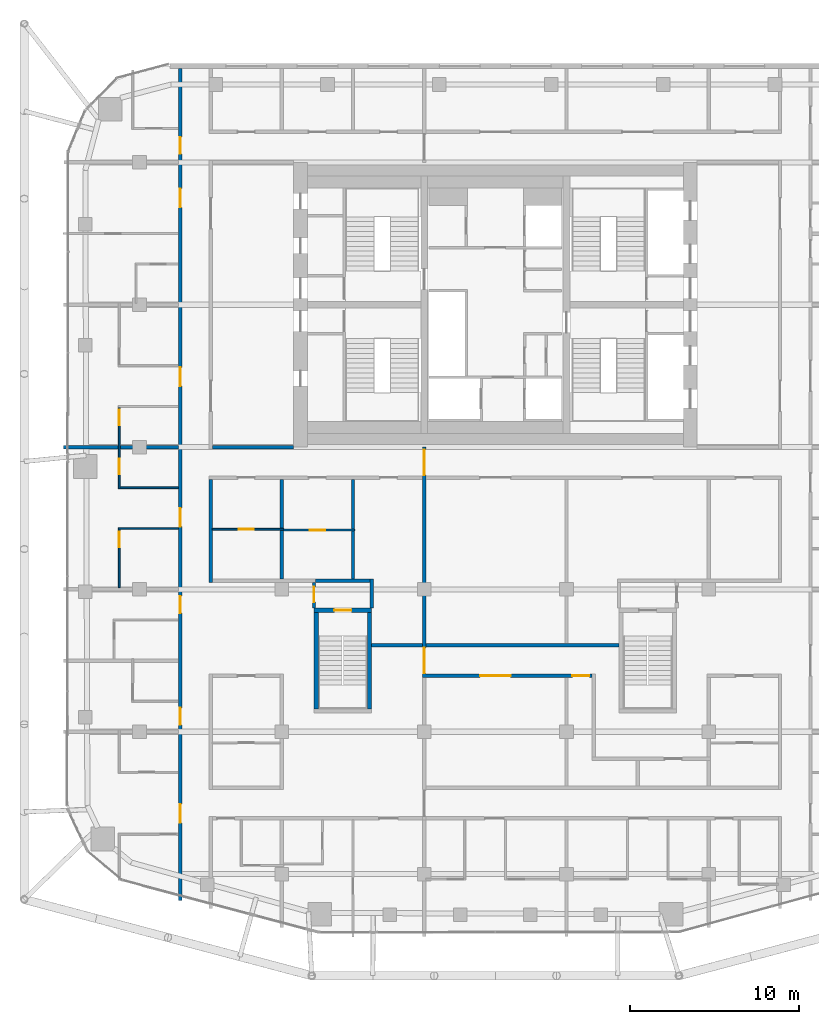
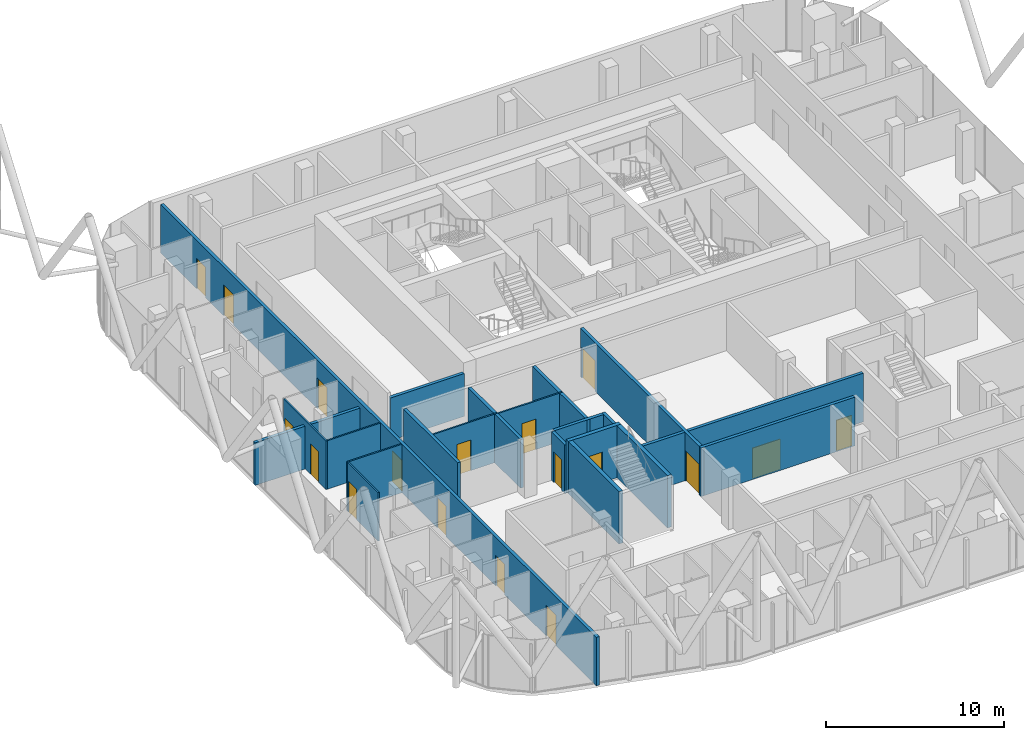
# One storey, part 24 of 31: 21 walls, 18 doors, 18 openings.
"""IFC4 building model written with IfcOpenShell, lengths in metres."""

from ifc_helpers import new_model, si_unit, direction, frame, frame_2d, origin, place, context, subcontext, project, spatial, rectangle, extrude, material, layer, layer_set, type_object, element, fill, save


model = new_model("IFC4")

# Units and contexts
model_context = context("Model", 3, precision=1e-05, world=origin(), true_north=direction((0.0, 1.0)))
body_context = subcontext(model_context, "Body", "Model", "MODEL_VIEW")
ifc_project = project(units=[si_unit("LENGTHUNIT", "METRE"), si_unit("AREAUNIT", "SQUARE_METRE"), si_unit("VOLUMEUNIT", "CUBIC_METRE"), si_unit("PLANEANGLEUNIT", "RADIAN"), si_unit("MASSUNIT", "GRAM", prefix="KILO")], contexts=[model_context])

# Site, building, storey
site_placement = place(None, origin())
site = spatial("IfcSite", under=ifc_project, at=site_placement, CompositionType="ELEMENT")
building_placement = place(site_placement, origin())
building = spatial("IfcBuilding", under=site, at=building_placement, Name="Marenta Gate Hotel Tower", CompositionType="ELEMENT")
storey_placement = place(building_placement, frame((0.0, 0.0, 205.699951171875)))
storey = spatial("IfcBuildingStorey", under=building, at=storey_placement, Name="L47", CompositionType="ELEMENT", Elevation=205.699951171875)

# Wall, openings, doors
ifc_material_1 = material(Name="Concrete blockwork", Category="masonry")
ifc_layer_1 = layer(ifc_material_1, 0.199951171875)
ifc_layer_set_1 = layer_set([ifc_layer_1], Name="Concrete blockwork")
wall_type_1 = type_object("IfcWallType", Name="Compartment wall 200 REI 180", PredefinedType="PARTITIONING", material=ifc_layer_set_1)
wall_1_placement = place(storey_placement, frame((-4.199951171875, -13.60009765625, 0.0), z_axis=(0.0, 0.0, 1.0), x_axis=(0.0, 1.0, 0.0)))
wall_1 = element("IfcWall", 1, at=wall_1_placement, inside=storey, type_object=wall_type_1, Name="L47-PTN-W071", PredefinedType="PARTITIONING", context=body_context, shape_type="SweptSolid", body=[
    extrude(rectangle(XDim=13.60009765625, YDim=0.199951171875, at=frame_2d((6.800048828125, 0.0))), origin(), (0.0, 0.0, 1.0), 3.340087890625),
])
opening_1_placement = place(wall_1_placement, frame((11.949951171875, 0.0, 0.0)))
opening_1 = element("IfcOpeningElement", 2, at=opening_1_placement, cuts=wall_1, Name="Opening G16-FD2", PredefinedType="OPENING", context=body_context, shape_type="SweptSolid", body=[
    extrude(rectangle(XDim=1.5, YDim=2.10009765625, at=frame_2d((0.75, 1.050048828125))), frame((0.0, 0.10009765625, 0.0), z_axis=(0.0, -1.0, 0.0), x_axis=(1.0, 0.0, 0.0)), (0.0, 0.0, 1.0), 0.199951171875),
])
opening_2_placement = place(wall_1_placement, frame((0.25, 0.0, 0.0)))
opening_2 = element("IfcOpeningElement", 3, at=opening_2_placement, cuts=wall_1, Name="Opening G16-FD3", PredefinedType="OPENING", context=body_context, shape_type="SweptSolid", body=[
    extrude(rectangle(XDim=1.5, YDim=2.10009765625, at=frame_2d((0.75, 1.050048828125))), frame((0.0, 0.10009765625, 0.0), z_axis=(0.0, -1.0, 0.0), x_axis=(1.0, 0.0, 0.0)), (0.0, 0.0, 1.0), 0.199951171875),
])
ifc_material_2 = material(Name="Hollow steel door set", Category="steel")
door_type_1 = type_object("IfcDoorType", Name="Compartment fire door 1500x2100 EI 60", OperationType="DOUBLE_DOOR_DOUBLE_SWING", PredefinedType="DOOR", material=ifc_material_2)
door_1_placement = place(opening_1_placement, origin())
door_1 = element("IfcDoor", 4, at=door_1_placement, inside=storey, type_object=door_type_1, Name="L47-PD-FD02", OperationType="DOUBLE_DOOR_DOUBLE_SWING", OverallHeight=2.10009765625, OverallWidth=1.5, PredefinedType="DOOR", context=body_context, shape_type="SweptSolid", body=[
    extrude(rectangle(XDim=1.5, YDim=2.10009765625, at=frame_2d((0.75, 1.050048828125))), frame((0.0, 0.02490234375, 0.0), z_axis=(0.0, -1.0, 0.0), x_axis=(1.0, 0.0, 0.0)), (0.0, 0.0, 1.0), 0.050048828125),
])
fill(opening_1, door_1)
door_2_placement = place(opening_2_placement, origin())
door_2 = element("IfcDoor", 5, at=door_2_placement, inside=storey, type_object=door_type_1, Name="L47-PD-FD03", OperationType="DOUBLE_DOOR_DOUBLE_SWING", OverallHeight=2.10009765625, OverallWidth=1.5, PredefinedType="DOOR", context=body_context, shape_type="SweptSolid", body=[
    extrude(rectangle(XDim=1.5, YDim=2.10009765625, at=frame_2d((0.75, 1.050048828125))), frame((0.0, 0.02490234375, 0.0), z_axis=(0.0, -1.0, 0.0), x_axis=(1.0, 0.0, 0.0)), (0.0, 0.0, 1.0), 0.050048828125),
])
fill(opening_2, door_2)

# Wall
ifc_material_3 = material(Name="Concrete blockwork", Category="masonry")
ifc_layer_2 = layer(ifc_material_3, 0.199951171875)
ifc_layer_set_2 = layer_set([ifc_layer_2], Name="Concrete blockwork")
wall_type_2 = type_object("IfcWallType", Name="Core boundary wall 200 REI 180", PredefinedType="PARTITIONING", material=ifc_layer_set_2)
wall_2_placement = place(storey_placement, frame((-16.699951171875, 0.0, 0.0), z_axis=(0.0, 0.0, 1.0), x_axis=(1.0, 0.0, 0.0)))
element("IfcWall", 6, at=wall_2_placement, inside=storey, type_object=wall_type_2, Name="L47-CP-EW-WS", PredefinedType="PARTITIONING", context=body_context, shape_type="SweptSolid", body=[
    extrude(rectangle(XDim=4.800048828125, YDim=0.199951171875, at=frame_2d((2.39990234375, 0.0))), origin(), (0.0, 0.0, 1.0), 2.93994140625),
])

# Wall, opening, door
ifc_material_4 = material(Name="Concrete C40", Category="concrete")
ifc_layer_3 = layer(ifc_material_4, 0.25)
ifc_layer_set_3 = layer_set([ifc_layer_3], Name="Concrete C40")
wall_type_3 = type_object("IfcWallType", Name="Remote stair enclosure wall 250 REI 180", PredefinedType="SHEAR", material=ifc_layer_set_3)
wall_3_placement = place(storey_placement, frame((-10.699951171875, -9.625, 0.10009765625), z_axis=(0.0, 0.0, 1.0), x_axis=(1.0, 0.0, 0.0)))
wall_3 = element("IfcWall", 7, at=wall_3_placement, inside=storey, type_object=wall_type_3, Name="L47-RS-Z3-1-W2", PredefinedType="SHEAR", context=body_context, shape_type="SweptSolid", body=[
    extrude(rectangle(XDim=3.39990234375, YDim=0.25, at=frame_2d((1.699951171875, 0.0))), origin(), (0.0, 0.0, 1.0), 3.599853515625),
])
opening_3_placement = place(wall_3_placement, frame((1.199951171875, 0.0, 0.0)))
opening_3 = element("IfcOpeningElement", 8, at=opening_3_placement, cuts=wall_3, Name="Opening VD", PredefinedType="OPENING", context=body_context, shape_type="SweptSolid", body=[
    extrude(rectangle(XDim=1.0, YDim=2.10009765625, at=frame_2d((0.5, 1.050048828125))), frame((0.0, 0.125, 0.0), z_axis=(0.0, -1.0, 0.0), x_axis=(1.0, 0.0, 0.0)), (0.0, 0.0, 1.0), 0.25),
])
ifc_material_5 = material(Name="Steel", Category="steel")
door_type_2 = type_object("IfcDoorType", Name="Stair vestibule door 1000x2100 FD60", OperationType="SINGLE_SWING_LEFT", PredefinedType="DOOR", material=ifc_material_5)
door_3_placement = place(opening_3_placement, origin())
door_3 = element("IfcDoor", 9, at=door_3_placement, inside=storey, type_object=door_type_2, Name="VD", OperationType="SINGLE_SWING_LEFT", OverallHeight=2.10009765625, OverallWidth=1.0, PredefinedType="DOOR", context=body_context, shape_type="SweptSolid", body=[
    extrude(rectangle(XDim=1.0, YDim=2.10009765625, at=frame_2d((0.5, 1.050048828125))), frame((0.0, 0.02490234375, 0.0), z_axis=(0.0, -1.0, 0.0), x_axis=(1.0, 0.0, 0.0)), (0.0, 0.0, 1.0), 0.050048828125),
])
fill(opening_3, door_3)

# Walls
for number, where, z_axis, x_axis, name in (
    (10, (-10.574951171875, -15.449951171875, 0.10009765625), (0.0, 0.0, 1.0), (0.0, 1.0, 0.0), "L47-RS-Z3-1-W3"),
    (11, (-7.425048828125, -15.449951171875, 0.10009765625), (0.0, 0.0, 1.0), (0.0, 1.0, 0.0), "L47-RS-Z3-1-W4"),
):
    element("IfcWall", number, at=place(storey_placement, frame(where, z_axis=z_axis, x_axis=x_axis)), inside=storey, type_object=wall_type_3, Name=name, PredefinedType="SHEAR", context=body_context, shape_type="SweptSolid", body=[
        extrude(rectangle(XDim=5.699951171875, YDim=0.25, at=frame_2d((2.85009765625, 0.0))), origin(), (0.0, 0.0, 1.0), 3.599853515625),
    ])

# Wall, openings, doors
ifc_material_6 = material(Name="Gypsum board on steel stud", Category="steel")
ifc_layer_4 = layer(ifc_material_6, 0.199951171875)
ifc_layer_set_4 = layer_set([ifc_layer_4], Name="Gypsum board on steel stud")
wall_type_4 = type_object("IfcWallType", Name="Room corridor wall 200 EI 60", PredefinedType="PARTITIONING", material=ifc_layer_set_4)
wall_4_placement = place(storey_placement, frame((-4.300048828125, -13.5, 0.0), z_axis=(0.0, 0.0, 1.0), x_axis=(1.0, 0.0, 0.0)))
wall_4 = element("IfcWall", 12, at=wall_4_placement, inside=storey, type_object=wall_type_4, Name="L47-PTN-W032", PredefinedType="PARTITIONING", context=body_context, shape_type="SweptSolid", body=[
    extrude(rectangle(XDim=10.0, YDim=0.199951171875, at=frame_2d((5.0, 0.0))), origin(), (0.0, 0.0, 1.0), 3.340087890625),
])
opening_4_placement = place(wall_4_placement, frame((3.39990234375, 0.0, 0.0)))
opening_4 = element("IfcOpeningElement", 13, at=opening_4_placement, cuts=wall_4, Name="Opening G16-11", PredefinedType="OPENING", context=body_context, shape_type="SweptSolid", body=[
    extrude(rectangle(XDim=1.800048828125, YDim=2.10009765625, at=frame_2d((0.89990234375, 1.050048828125))), frame((0.0, 0.10009765625, 0.0), z_axis=(0.0, -1.0, 0.0), x_axis=(1.0, 0.0, 0.0)), (0.0, 0.0, 1.0), 0.199951171875),
])
opening_5_placement = place(wall_4_placement, frame((8.85009765625, 0.0, 0.0)))
opening_5 = element("IfcOpeningElement", 14, at=opening_5_placement, cuts=wall_4, Name="Opening G16-12", PredefinedType="OPENING", context=body_context, shape_type="SweptSolid", body=[
    extrude(rectangle(XDim=1.0, YDim=2.10009765625, at=frame_2d((0.5, 1.050048828125))), frame((0.0, 0.10009765625, 0.0), z_axis=(0.0, -1.0, 0.0), x_axis=(1.0, 0.0, 0.0)), (0.0, 0.0, 1.0), 0.199951171875),
])
ifc_material_7 = material(Name="Timber door leaf", Category="wood")
door_type_3 = type_object("IfcDoorType", Name="Room amenity door 1000x2100 EI 30", OperationType="NOTDEFINED", PredefinedType="DOOR", material=ifc_material_7)
door_4_placement = place(opening_5_placement, origin())
door_4 = element("IfcDoor", 15, at=door_4_placement, inside=storey, type_object=door_type_3, Name="L47-PD-D012", OperationType="SINGLE_SWING_LEFT", OverallHeight=2.10009765625, OverallWidth=1.0, PredefinedType="DOOR", context=body_context, shape_type="SweptSolid", body=[
    extrude(rectangle(XDim=1.0, YDim=2.10009765625, at=frame_2d((0.5, 1.050048828125))), frame((0.0, 0.02490234375, 0.0), z_axis=(0.0, -1.0, 0.0), x_axis=(1.0, 0.0, 0.0)), (0.0, 0.0, 1.0), 0.050048828125),
])
fill(opening_5, door_4)
ifc_material_8 = material(Name="Timber door leaf", Category="wood")
door_type_4 = type_object("IfcDoorType", Name="Room amenity door 1800x2100 EI 30", OperationType="DOUBLE_DOOR_SINGLE_SWING", PredefinedType="DOOR", material=ifc_material_8)
door_5_placement = place(opening_4_placement, origin())
door_5 = element("IfcDoor", 16, at=door_5_placement, inside=storey, type_object=door_type_4, Name="L47-PD-D011", OperationType="DOUBLE_DOOR_SINGLE_SWING", OverallHeight=2.10009765625, OverallWidth=1.800048828125, PredefinedType="DOOR", context=body_context, shape_type="SweptSolid", body=[
    extrude(rectangle(XDim=1.800048828125, YDim=2.10009765625, at=frame_2d((0.89990234375, 1.050048828125))), frame((0.0, 0.02490234375, 0.0), z_axis=(0.0, -1.0, 0.0), x_axis=(1.0, 0.0, 0.0)), (0.0, 0.0, 1.0), 0.050048828125),
])
fill(opening_4, door_5)

# Walls
wall_5_placement = place(storey_placement, frame((-7.300048828125, -11.699951171875, 0.0), z_axis=(0.0, 0.0, 1.0), x_axis=(1.0, 0.0, 0.0)))
element("IfcWall", 17, at=wall_5_placement, inside=storey, type_object=wall_type_4, Name="L47-PTN-W040", PredefinedType="PARTITIONING", context=body_context, shape_type="SweptSolid", body=[
    extrude(rectangle(XDim=14.60009765625, YDim=0.199951171875, at=frame_2d((7.300048828125, 0.0))), origin(), (0.0, 0.0, 1.0), 3.340087890625),
])
wall_6_placement = place(storey_placement, frame((-16.800048828125, -8.0, 0.0), z_axis=(0.0, 0.0, 1.0), x_axis=(0.0, 1.0, 0.0)))
element("IfcWall", 18, at=wall_6_placement, inside=storey, type_object=wall_type_4, Name="L47-PTN-W095", PredefinedType="PARTITIONING", context=body_context, shape_type="SweptSolid", body=[
    extrude(rectangle(XDim=6.10009765625, YDim=0.199951171875, at=frame_2d((3.050048828125, 0.0))), origin(), (0.0, 0.0, 1.0), 3.340087890625),
])

# Wall, openings, doors
wall_7_placement = place(storey_placement, frame((-18.60009765625, -26.7509765625, 0.0), z_axis=(0.0, 0.0, 1.0), x_axis=(0.0, 1.0, 0.0)))
wall_7 = element("IfcWall", 19, at=wall_7_placement, inside=storey, type_object=wall_type_4, Name="L47-PTN-W099", PredefinedType="PARTITIONING", context=body_context, shape_type="SweptSolid", body=[
    extrude(rectangle(XDim=49.091064453125, YDim=0.199951171875, at=frame_2d((24.54541015625, 0.0))), origin(), (0.0, 0.0, 1.0), 3.340087890625),
])
opening_6_placement = place(wall_7_placement, frame((4.575927734375, 0.0, 0.0)))
opening_6 = element("IfcOpeningElement", 20, at=opening_6_placement, cuts=wall_7, Name="Opening G16-46", PredefinedType="OPENING", context=body_context, shape_type="SweptSolid", body=[
    extrude(rectangle(XDim=1.10009765625, YDim=2.10009765625, at=frame_2d((0.550048828125, 1.050048828125))), frame((0.0, 0.10009765625, 0.0), z_axis=(0.0, -1.0, 0.0), x_axis=(1.0, 0.0, 0.0)), (0.0, 0.0, 1.0), 0.199951171875),
])
opening_7_placement = place(wall_7_placement, frame((10.35107421875, 0.0, 0.0)))
opening_7 = element("IfcOpeningElement", 21, at=opening_7_placement, cuts=wall_7, Name="Opening G16-49", PredefinedType="OPENING", context=body_context, shape_type="SweptSolid", body=[
    extrude(rectangle(XDim=1.0, YDim=2.10009765625, at=frame_2d((0.5, 1.050048828125))), frame((0.0, 0.10009765625, 0.0), z_axis=(0.0, -1.0, 0.0), x_axis=(1.0, 0.0, 0.0)), (0.0, 0.0, 1.0), 0.199951171875),
])
opening_8_placement = place(wall_7_placement, frame((16.950927734375, 0.0, 0.0)))
opening_8 = element("IfcOpeningElement", 22, at=opening_8_placement, cuts=wall_7, Name="Opening G16-51", PredefinedType="OPENING", context=body_context, shape_type="SweptSolid", body=[
    extrude(rectangle(XDim=1.0, YDim=2.10009765625, at=frame_2d((0.5, 1.050048828125))), frame((0.0, 0.10009765625, 0.0), z_axis=(0.0, -1.0, 0.0), x_axis=(1.0, 0.0, 0.0)), (0.0, 0.0, 1.0), 0.199951171875),
])
opening_9_placement = place(wall_7_placement, frame((22.051025390625, 0.0, 0.0)))
opening_9 = element("IfcOpeningElement", 23, at=opening_9_placement, cuts=wall_7, Name="Opening G16-53", PredefinedType="OPENING", context=body_context, shape_type="SweptSolid", body=[
    extrude(rectangle(XDim=1.10009765625, YDim=2.10009765625, at=frame_2d((0.550048828125, 1.050048828125))), frame((0.0, 0.10009765625, 0.0), z_axis=(0.0, -1.0, 0.0), x_axis=(1.0, 0.0, 0.0)), (0.0, 0.0, 1.0), 0.199951171875),
])
opening_10_placement = place(wall_7_placement, frame((30.35107421875, 0.0, 0.0)))
opening_10 = element("IfcOpeningElement", 24, at=opening_10_placement, cuts=wall_7, Name="Opening G16-56", PredefinedType="OPENING", context=body_context, shape_type="SweptSolid", body=[
    extrude(rectangle(XDim=1.10009765625, YDim=2.10009765625, at=frame_2d((0.550048828125, 1.050048828125))), frame((0.0, 0.10009765625, 0.0), z_axis=(0.0, -1.0, 0.0), x_axis=(1.0, 0.0, 0.0)), (0.0, 0.0, 1.0), 0.199951171875),
])
opening_11_placement = place(wall_7_placement, frame((40.90087890625, 0.0, 0.0)))
opening_11 = element("IfcOpeningElement", 25, at=opening_11_placement, cuts=wall_7, Name="Opening G16-59", PredefinedType="OPENING", context=body_context, shape_type="SweptSolid", body=[
    extrude(rectangle(XDim=1.10009765625, YDim=2.10009765625, at=frame_2d((0.550048828125, 1.050048828125))), frame((0.0, 0.10009765625, 0.0), z_axis=(0.0, -1.0, 0.0), x_axis=(1.0, 0.0, 0.0)), (0.0, 0.0, 1.0), 0.199951171875),
])
opening_12_placement = place(wall_7_placement, frame((44.051025390625, 0.0, 0.0)))
opening_12 = element("IfcOpeningElement", 26, at=opening_12_placement, cuts=wall_7, Name="Opening G16-62", PredefinedType="OPENING", context=body_context, shape_type="SweptSolid", body=[
    extrude(rectangle(XDim=1.0, YDim=2.10009765625, at=frame_2d((0.5, 1.050048828125))), frame((0.0, 0.10009765625, 0.0), z_axis=(0.0, -1.0, 0.0), x_axis=(1.0, 0.0, 0.0)), (0.0, 0.0, 1.0), 0.199951171875),
])
ifc_material_9 = material(Name="Timber door leaf", Category="wood")
door_type_5 = type_object("IfcDoorType", Name="Guest room door 1000x2100 EI 30", OperationType="NOTDEFINED", PredefinedType="DOOR", material=ifc_material_9)
door_6_placement = place(opening_7_placement, origin())
door_6 = element("IfcDoor", 27, at=door_6_placement, inside=storey, type_object=door_type_5, Name="L47-PD-D049", OperationType="SINGLE_SWING_RIGHT", OverallHeight=2.10009765625, OverallWidth=1.0, PredefinedType="DOOR", context=body_context, shape_type="SweptSolid", body=[
    extrude(rectangle(XDim=1.0, YDim=2.10009765625, at=frame_2d((0.5, 1.050048828125))), frame((0.0, 0.02490234375, 0.0), z_axis=(0.0, -1.0, 0.0), x_axis=(1.0, 0.0, 0.0)), (0.0, 0.0, 1.0), 0.050048828125),
])
fill(opening_7, door_6)
door_7_placement = place(opening_8_placement, origin())
door_7 = element("IfcDoor", 28, at=door_7_placement, inside=storey, type_object=door_type_5, Name="L47-PD-D051", OperationType="SINGLE_SWING_RIGHT", OverallHeight=2.10009765625, OverallWidth=1.0, PredefinedType="DOOR", context=body_context, shape_type="SweptSolid", body=[
    extrude(rectangle(XDim=1.0, YDim=2.10009765625, at=frame_2d((0.5, 1.050048828125))), frame((0.0, 0.02490234375, 0.0), z_axis=(0.0, -1.0, 0.0), x_axis=(1.0, 0.0, 0.0)), (0.0, 0.0, 1.0), 0.050048828125),
])
fill(opening_8, door_7)
door_8_placement = place(opening_12_placement, origin())
door_8 = element("IfcDoor", 29, at=door_8_placement, inside=storey, type_object=door_type_5, Name="L47-PD-D062", OperationType="SINGLE_SWING_LEFT", OverallHeight=2.10009765625, OverallWidth=1.0, PredefinedType="DOOR", context=body_context, shape_type="SweptSolid", body=[
    extrude(rectangle(XDim=1.0, YDim=2.10009765625, at=frame_2d((0.5, 1.050048828125))), frame((0.0, 0.02490234375, 0.0), z_axis=(0.0, -1.0, 0.0), x_axis=(1.0, 0.0, 0.0)), (0.0, 0.0, 1.0), 0.050048828125),
])
fill(opening_12, door_8)
ifc_material_10 = material(Name="Timber door leaf", Category="wood")
door_type_6 = type_object("IfcDoorType", Name="Guest room door 1100x2100 EI 30", OperationType="NOTDEFINED", PredefinedType="DOOR", material=ifc_material_10)
door_9_placement = place(opening_6_placement, origin())
door_9 = element("IfcDoor", 30, at=door_9_placement, inside=storey, type_object=door_type_6, Name="L47-PD-D046", OperationType="SINGLE_SWING_LEFT", OverallHeight=2.10009765625, OverallWidth=1.10009765625, PredefinedType="DOOR", context=body_context, shape_type="SweptSolid", body=[
    extrude(rectangle(XDim=1.10009765625, YDim=2.10009765625, at=frame_2d((0.550048828125, 1.050048828125))), frame((0.0, 0.02490234375, 0.0), z_axis=(0.0, -1.0, 0.0), x_axis=(1.0, 0.0, 0.0)), (0.0, 0.0, 1.0), 0.050048828125),
])
fill(opening_6, door_9)
door_10_placement = place(opening_9_placement, origin())
door_10 = element("IfcDoor", 31, at=door_10_placement, inside=storey, type_object=door_type_6, Name="L47-PD-D053", OperationType="SINGLE_SWING_LEFT", OverallHeight=2.10009765625, OverallWidth=1.10009765625, PredefinedType="DOOR", context=body_context, shape_type="SweptSolid", body=[
    extrude(rectangle(XDim=1.10009765625, YDim=2.10009765625, at=frame_2d((0.550048828125, 1.050048828125))), frame((0.0, 0.02490234375, 0.0), z_axis=(0.0, -1.0, 0.0), x_axis=(1.0, 0.0, 0.0)), (0.0, 0.0, 1.0), 0.050048828125),
])
fill(opening_9, door_10)
door_11_placement = place(opening_10_placement, origin())
door_11 = element("IfcDoor", 32, at=door_11_placement, inside=storey, type_object=door_type_6, Name="L47-PD-D056", OperationType="SINGLE_SWING_RIGHT", OverallHeight=2.10009765625, OverallWidth=1.10009765625, PredefinedType="DOOR", context=body_context, shape_type="SweptSolid", body=[
    extrude(rectangle(XDim=1.10009765625, YDim=2.10009765625, at=frame_2d((0.550048828125, 1.050048828125))), frame((0.0, 0.02490234375, 0.0), z_axis=(0.0, -1.0, 0.0), x_axis=(1.0, 0.0, 0.0)), (0.0, 0.0, 1.0), 0.050048828125),
])
fill(opening_10, door_11)
door_12_placement = place(opening_11_placement, origin())
door_12 = element("IfcDoor", 33, at=door_12_placement, inside=storey, type_object=door_type_6, Name="L47-PD-D059", OperationType="SINGLE_SWING_RIGHT", OverallHeight=2.10009765625, OverallWidth=1.10009765625, PredefinedType="DOOR", context=body_context, shape_type="SweptSolid", body=[
    extrude(rectangle(XDim=1.10009765625, YDim=2.10009765625, at=frame_2d((0.550048828125, 1.050048828125))), frame((0.0, 0.02490234375, 0.0), z_axis=(0.0, -1.0, 0.0), x_axis=(1.0, 0.0, 0.0)), (0.0, 0.0, 1.0), 0.050048828125),
])
fill(opening_11, door_12)

# Wall, opening, door
ifc_material_11 = material(Name="Concrete blockwork", Category="masonry")
ifc_layer_5 = layer(ifc_material_11, 0.199951171875)
ifc_layer_set_5 = layer_set([ifc_layer_5], Name="Concrete blockwork")
wall_type_5 = type_object("IfcWallType", Name="Room corridor wall 200 REI 180", PredefinedType="PARTITIONING", material=ifc_layer_set_5)
wall_8_placement = place(storey_placement, frame((-10.699951171875, -9.5, 0.0), z_axis=(0.0, 0.0, 1.0), x_axis=(0.0, 1.0, 0.0)))
wall_8 = element("IfcWall", 34, at=wall_8_placement, inside=storey, type_object=wall_type_5, Name="L47-PTN-W082", PredefinedType="PARTITIONING", context=body_context, shape_type="SweptSolid", body=[
    extrude(rectangle(XDim=1.5, YDim=0.199951171875, at=frame_2d((0.75, 0.0))), origin(), (0.0, 0.0, 1.0), 3.340087890625),
])
opening_13_placement = place(wall_8_placement, frame((0.35009765625, 0.0, 0.0)))
opening_13 = element("IfcOpeningElement", 35, at=opening_13_placement, cuts=wall_8, Name="Opening G16-64", PredefinedType="OPENING", context=body_context, shape_type="SweptSolid", body=[
    extrude(rectangle(XDim=0.89990234375, YDim=2.10009765625, at=frame_2d((0.449951171875, 1.050048828125))), frame((0.0, 0.10009765625, 0.0), z_axis=(0.0, -1.0, 0.0), x_axis=(1.0, 0.0, 0.0)), (0.0, 0.0, 1.0), 0.199951171875),
])
ifc_material_12 = material(Name="Hollow steel door set", Category="steel")
door_type_7 = type_object("IfcDoorType", Name="Stair vestibule door 900x2100 EI 60", OperationType="NOTDEFINED", PredefinedType="DOOR", material=ifc_material_12)
door_13_placement = place(opening_13_placement, origin())
door_13 = element("IfcDoor", 36, at=door_13_placement, inside=storey, type_object=door_type_7, Name="L47-PD-D064", OperationType="SINGLE_SWING_LEFT", OverallHeight=2.10009765625, OverallWidth=0.89990234375, PredefinedType="DOOR", context=body_context, shape_type="SweptSolid", body=[
    extrude(rectangle(XDim=0.89990234375, YDim=2.10009765625, at=frame_2d((0.449951171875, 1.050048828125))), frame((0.0, 0.02490234375, 0.0), z_axis=(0.0, -1.0, 0.0), x_axis=(1.0, 0.0, 0.0)), (0.0, 0.0, 1.0), 0.050048828125),
])
fill(opening_13, door_13)

ifc_material_13 = material(Name="Gypsum board on steel stud", Category="steel")
ifc_layer_6 = layer(ifc_material_13, 0.10009765625)
ifc_layer_set_6 = layer_set([ifc_layer_6], Name="Gypsum board on steel stud")
wall_type_6 = type_object("IfcWallType", Name="Room partition 100", PredefinedType="PARTITIONING", material=ifc_layer_set_6)
wall_9_placement = place(storey_placement, frame((-12.5, -4.89990234375, 0.0), z_axis=(0.0, 0.0, 1.0), x_axis=(1.0, 0.0, 0.0)))
wall_9 = element("IfcWall", 37, at=wall_9_placement, inside=storey, type_object=wall_type_6, Name="L47-PTN-W055", PredefinedType="PARTITIONING", context=body_context, shape_type="SweptSolid", body=[
    extrude(rectangle(XDim=4.199951171875, YDim=0.10009765625, at=frame_2d((2.10009765625, 0.0))), origin(), (0.0, 0.0, 1.0), 3.340087890625),
])
opening_14_placement = place(wall_9_placement, frame((1.550048828125, 0.0, 0.0)))
opening_14 = element("IfcOpeningElement", 38, at=opening_14_placement, cuts=wall_9, Name="Opening G16-04", PredefinedType="OPENING", context=body_context, shape_type="SweptSolid", body=[
    extrude(rectangle(XDim=0.89990234375, YDim=2.10009765625, at=frame_2d((0.449951171875, 1.050048828125))), frame((0.0, 0.050048828125, 0.0), z_axis=(0.0, -1.0, 0.0), x_axis=(1.0, 0.0, 0.0)), (0.0, 0.0, 1.0), 0.10009765625),
])
ifc_material_14 = material(Name="Timber door leaf", Category="wood")
door_type_8 = type_object("IfcDoorType", Name="Room inner door 900x2100", OperationType="NOTDEFINED", PredefinedType="DOOR", material=ifc_material_14)
door_14_placement = place(opening_14_placement, origin())
door_14 = element("IfcDoor", 39, at=door_14_placement, inside=storey, type_object=door_type_8, Name="L47-PD-D004", OperationType="SINGLE_SWING_RIGHT", OverallHeight=2.10009765625, OverallWidth=0.89990234375, PredefinedType="DOOR", context=body_context, shape_type="SweptSolid", body=[
    extrude(rectangle(XDim=0.89990234375, YDim=2.10009765625, at=frame_2d((0.449951171875, 1.050048828125))), frame((0.0, 0.02490234375, 0.0), z_axis=(0.0, -1.0, 0.0), x_axis=(1.0, 0.0, 0.0)), (0.0, 0.0, 1.0), 0.050048828125),
])
fill(opening_14, door_14)

wall_10_placement = place(storey_placement, frame((-16.699951171875, -4.85009765625, 0.0), z_axis=(0.0, 0.0, 1.0), x_axis=(1.0, 0.0, 0.0)))
wall_10 = element("IfcWall", 40, at=wall_10_placement, inside=storey, type_object=wall_type_6, Name="L47-PTN-W056", PredefinedType="PARTITIONING", context=body_context, shape_type="SweptSolid", body=[
    extrude(rectangle(XDim=4.199951171875, YDim=0.10009765625, at=frame_2d((2.10009765625, 0.0))), origin(), (0.0, 0.0, 1.0), 3.340087890625),
])
opening_15_placement = place(wall_10_placement, frame((1.550048828125, 0.0, 0.0)))
opening_15 = element("IfcOpeningElement", 41, at=opening_15_placement, cuts=wall_10, Name="Opening G16-02", PredefinedType="OPENING", context=body_context, shape_type="SweptSolid", body=[
    extrude(rectangle(XDim=0.89990234375, YDim=2.10009765625, at=frame_2d((0.449951171875, 1.050048828125))), frame((0.0, 0.050048828125, 0.0), z_axis=(0.0, -1.0, 0.0), x_axis=(1.0, 0.0, 0.0)), (0.0, 0.0, 1.0), 0.10009765625),
])
door_15_placement = place(opening_15_placement, origin())
door_15 = element("IfcDoor", 42, at=door_15_placement, inside=storey, type_object=door_type_8, Name="L47-PD-D002", OperationType="SINGLE_SWING_RIGHT", OverallHeight=2.10009765625, OverallWidth=0.89990234375, PredefinedType="DOOR", context=body_context, shape_type="SweptSolid", body=[
    extrude(rectangle(XDim=0.89990234375, YDim=2.10009765625, at=frame_2d((0.449951171875, 1.050048828125))), frame((0.0, 0.02490234375, 0.0), z_axis=(0.0, -1.0, 0.0), x_axis=(1.0, 0.0, 0.0)), (0.0, 0.0, 1.0), 0.050048828125),
])
fill(opening_15, door_15)

# Walls
wall_11_placement = place(storey_placement, frame((-22.25, -4.800048828125, 0.0), z_axis=(0.0, 0.0, 1.0), x_axis=(1.0, 0.0, 0.0)))
element("IfcWall", 43, at=wall_11_placement, inside=storey, type_object=wall_type_6, Name="L47-PTN-W057", PredefinedType="PARTITIONING", context=body_context, shape_type="SweptSolid", body=[
    extrude(rectangle(XDim=3.550048828125, YDim=0.10009765625, at=frame_2d((1.77490234375, 0.0))), origin(), (0.0, 0.0, 1.0), 3.340087890625),
])
wall_12_placement = place(storey_placement, frame((-22.14990234375, -2.39990234375, 0.0), z_axis=(0.0, 0.0, 1.0), x_axis=(1.0, 0.0, 0.0)))
element("IfcWall", 44, at=wall_12_placement, inside=storey, type_object=wall_type_6, Name="L47-PTN-W063", PredefinedType="PARTITIONING", context=body_context, shape_type="SweptSolid", body=[
    extrude(rectangle(XDim=3.449951171875, YDim=0.10009765625, at=frame_2d((1.72509765625, 0.0))), origin(), (0.0, 0.0, 1.0), 3.340087890625),
])

# Wall, opening, door
wall_13_placement = place(storey_placement, frame((-22.199951171875, -8.300048828125, 0.0), z_axis=(0.0, 0.0, 1.0), x_axis=(0.0, 1.0, 0.0)))
wall_13 = element("IfcWall", 45, at=wall_13_placement, inside=storey, type_object=wall_type_6, Name="L47-PTN-W107", PredefinedType="PARTITIONING", context=body_context, shape_type="SweptSolid", body=[
    extrude(rectangle(XDim=3.449951171875, YDim=0.10009765625, at=frame_2d((1.72509765625, 0.0))), origin(), (0.0, 0.0, 1.0), 3.340087890625),
])
opening_16_placement = place(wall_13_placement, frame((2.39990234375, 0.0, 0.0)))
opening_16 = element("IfcOpeningElement", 46, at=opening_16_placement, cuts=wall_13, Name="Opening G16-54", PredefinedType="OPENING", context=body_context, shape_type="SweptSolid", body=[
    extrude(rectangle(XDim=0.89990234375, YDim=2.10009765625, at=frame_2d((0.449951171875, 1.050048828125))), frame((0.0, 0.050048828125, 0.0), z_axis=(0.0, -1.0, 0.0), x_axis=(1.0, 0.0, 0.0)), (0.0, 0.0, 1.0), 0.10009765625),
])
ifc_material_15 = material(Name="Timber door leaf", Category="wood")
door_type_9 = type_object("IfcDoorType", Name="Guest bathroom door 900x2100", OperationType="NOTDEFINED", PredefinedType="DOOR", material=ifc_material_15)
door_16_placement = place(opening_16_placement, origin())
door_16 = element("IfcDoor", 47, at=door_16_placement, inside=storey, type_object=door_type_9, Name="L47-PD-D054", OperationType="SINGLE_SWING_LEFT", OverallHeight=2.10009765625, OverallWidth=0.89990234375, PredefinedType="DOOR", context=body_context, shape_type="SweptSolid", body=[
    extrude(rectangle(XDim=0.89990234375, YDim=2.10009765625, at=frame_2d((0.449951171875, 1.050048828125))), frame((0.0, 0.02490234375, 0.0), z_axis=(0.0, -1.0, 0.0), x_axis=(1.0, 0.0, 0.0)), (0.0, 0.0, 1.0), 0.050048828125),
])
fill(opening_16, door_16)

# Wall, openings, doors
wall_14_placement = place(storey_placement, frame((-22.199951171875, -2.449951171875, 0.0), z_axis=(0.0, 0.0, 1.0), x_axis=(0.0, 1.0, 0.0)))
wall_14 = element("IfcWall", 48, at=wall_14_placement, inside=storey, type_object=wall_type_6, Name="L47-PTN-W108", PredefinedType="PARTITIONING", context=body_context, shape_type="SweptSolid", body=[
    extrude(rectangle(XDim=4.800048828125, YDim=0.10009765625, at=frame_2d((2.39990234375, 0.0))), origin(), (0.0, 0.0, 1.0), 3.340087890625),
])
opening_17_placement = place(wall_14_placement, frame((0.85009765625, 0.0, 0.0)))
opening_17 = element("IfcOpeningElement", 49, at=opening_17_placement, cuts=wall_14, Name="Opening G16-55", PredefinedType="OPENING", context=body_context, shape_type="SweptSolid", body=[
    extrude(rectangle(XDim=0.89990234375, YDim=2.10009765625, at=frame_2d((0.449951171875, 1.050048828125))), frame((0.0, 0.050048828125, 0.0), z_axis=(0.0, -1.0, 0.0), x_axis=(1.0, 0.0, 0.0)), (0.0, 0.0, 1.0), 0.10009765625),
])
opening_18_placement = place(wall_14_placement, frame((3.75, 0.0, 0.0)))
opening_18 = element("IfcOpeningElement", 50, at=opening_18_placement, cuts=wall_14, Name="Opening G16-58", PredefinedType="OPENING", context=body_context, shape_type="SweptSolid", body=[
    extrude(rectangle(XDim=0.89990234375, YDim=2.10009765625, at=frame_2d((0.449951171875, 1.050048828125))), frame((0.0, 0.050048828125, 0.0), z_axis=(0.0, -1.0, 0.0), x_axis=(1.0, 0.0, 0.0)), (0.0, 0.0, 1.0), 0.10009765625),
])
door_17_placement = place(opening_17_placement, origin())
door_17 = element("IfcDoor", 51, at=door_17_placement, inside=storey, type_object=door_type_8, Name="L47-PD-D055", OperationType="SINGLE_SWING_LEFT", OverallHeight=2.10009765625, OverallWidth=0.89990234375, PredefinedType="DOOR", context=body_context, shape_type="SweptSolid", body=[
    extrude(rectangle(XDim=0.89990234375, YDim=2.10009765625, at=frame_2d((0.449951171875, 1.050048828125))), frame((0.0, 0.02490234375, 0.0), z_axis=(0.0, -1.0, 0.0), x_axis=(1.0, 0.0, 0.0)), (0.0, 0.0, 1.0), 0.050048828125),
])
fill(opening_17, door_17)
door_18_placement = place(opening_18_placement, origin())
door_18 = element("IfcDoor", 52, at=door_18_placement, inside=storey, type_object=door_type_8, Name="L47-PD-D058", OperationType="SINGLE_SWING_LEFT", OverallHeight=2.10009765625, OverallWidth=0.89990234375, PredefinedType="DOOR", context=body_context, shape_type="SweptSolid", body=[
    extrude(rectangle(XDim=0.89990234375, YDim=2.10009765625, at=frame_2d((0.449951171875, 1.050048828125))), frame((0.0, 0.02490234375, 0.0), z_axis=(0.0, -1.0, 0.0), x_axis=(1.0, 0.0, 0.0)), (0.0, 0.0, 1.0), 0.050048828125),
])
fill(opening_18, door_18)

# Walls
ifc_material_16 = material(Name="Concrete blockwork", Category="masonry")
ifc_layer_7 = layer(ifc_material_16, 0.199951171875)
ifc_layer_set_7 = layer_set([ifc_layer_7], Name="Concrete blockwork")
wall_type_7 = type_object("IfcWallType", Name="Room party wall 200 EI 120", PredefinedType="PARTITIONING", material=ifc_layer_set_7)
wall_15_placement = place(storey_placement, frame((-8.39990234375, -8.0, 0.0), z_axis=(0.0, 0.0, 1.0), x_axis=(0.0, 1.0, 0.0)))
element("IfcWall", 53, at=wall_15_placement, inside=storey, type_object=wall_type_7, Name="L47-PTN-W077", PredefinedType="PARTITIONING", context=body_context, shape_type="SweptSolid", body=[
    extrude(rectangle(XDim=6.10009765625, YDim=0.199951171875, at=frame_2d((3.050048828125, 0.0))), origin(), (0.0, 0.0, 1.0), 3.340087890625),
])
wall_16_placement = place(storey_placement, frame((-12.60009765625, -7.800048828125, 0.0), z_axis=(0.0, 0.0, 1.0), x_axis=(0.0, 1.0, 0.0)))
element("IfcWall", 54, at=wall_16_placement, inside=storey, type_object=wall_type_7, Name="L47-PTN-W086", PredefinedType="PARTITIONING", context=body_context, shape_type="SweptSolid", body=[
    extrude(rectangle(XDim=5.900146484375, YDim=0.199951171875, at=frame_2d((2.9501953125, 0.0))), origin(), (0.0, 0.0, 1.0), 3.340087890625),
])
ifc_material_17 = material(Name="Gypsum board on steel stud", Category="steel")
ifc_layer_8 = layer(ifc_material_17, 0.199951171875)
ifc_layer_set_8 = layer_set([ifc_layer_8], Name="Gypsum board on steel stud")
wall_type_8 = type_object("IfcWallType", Name="Room party wall 200 EI 60", PredefinedType="PARTITIONING", material=ifc_layer_set_8)
wall_17_placement = place(storey_placement, frame((-25.5, 0.0, 0.0), z_axis=(0.0, 0.0, 1.0), x_axis=(1.0, 0.0, 0.0)))
element("IfcWall", 55, at=wall_17_placement, inside=storey, type_object=wall_type_8, Name="L47-PTN-W066", PredefinedType="PARTITIONING", context=body_context, shape_type="SweptSolid", body=[
    extrude(rectangle(XDim=6.800048828125, YDim=0.199951171875, at=frame_2d((3.39990234375, 0.0))), origin(), (0.0, 0.0, 1.0), 2.93994140625),
])
ifc_material_18 = material(Name="Concrete blockwork", Category="masonry")
ifc_layer_9 = layer(ifc_material_18, 0.199951171875)
ifc_layer_set_9 = layer_set([ifc_layer_9], Name="Concrete blockwork")
wall_type_9 = type_object("IfcWallType", Name="Room party wall 200 REI 180", PredefinedType="PARTITIONING", material=ifc_layer_set_9)
wall_18_placement = place(storey_placement, frame((-10.60009765625, -7.89990234375, 0.0), z_axis=(0.0, 0.0, 1.0), x_axis=(1.0, 0.0, 0.0)))
element("IfcWall", 56, at=wall_18_placement, inside=storey, type_object=wall_type_9, Name="L47-PTN-W049", PredefinedType="PARTITIONING", context=body_context, shape_type="SweptSolid", body=[
    extrude(rectangle(XDim=3.2001953125, YDim=0.199951171875, at=frame_2d((1.60009765625, 0.0))), origin(), (0.0, 0.0, 1.0), 3.340087890625),
])
wall_19_placement = place(storey_placement, frame((-7.300048828125, -9.5, 0.0), z_axis=(0.0, 0.0, 1.0), x_axis=(0.0, 1.0, 0.0)))
element("IfcWall", 57, at=wall_19_placement, inside=storey, type_object=wall_type_9, Name="L47-PTN-W075", PredefinedType="PARTITIONING", context=body_context, shape_type="SweptSolid", body=[
    extrude(rectangle(XDim=1.699951171875, YDim=0.199951171875, at=frame_2d((0.85009765625, 0.0))), origin(), (0.0, 0.0, 1.0), 3.340087890625),
])

save(model, "model.ifc")
